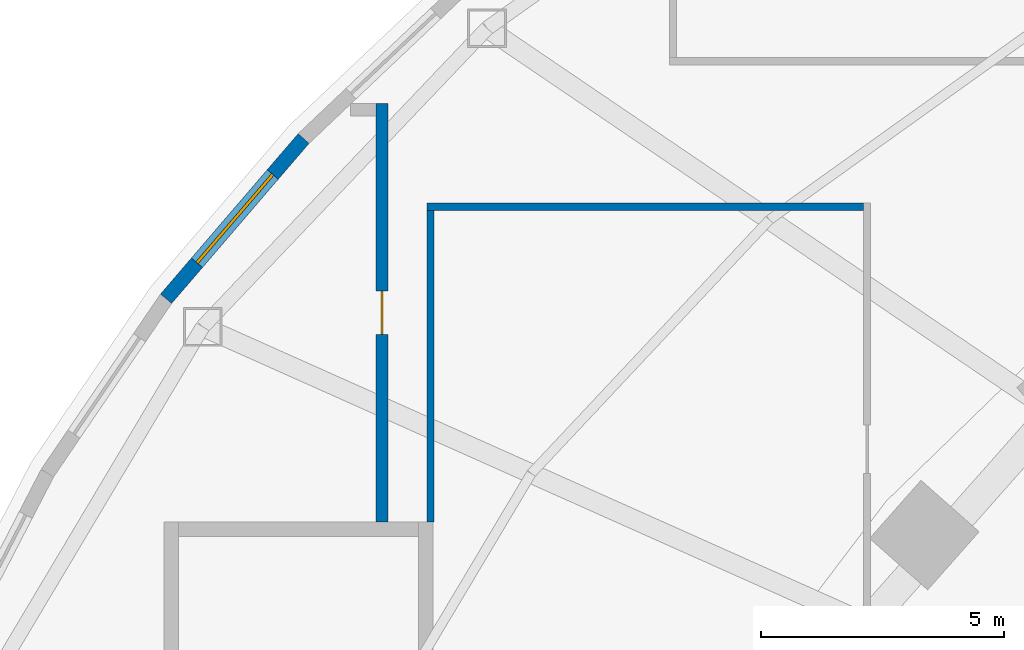
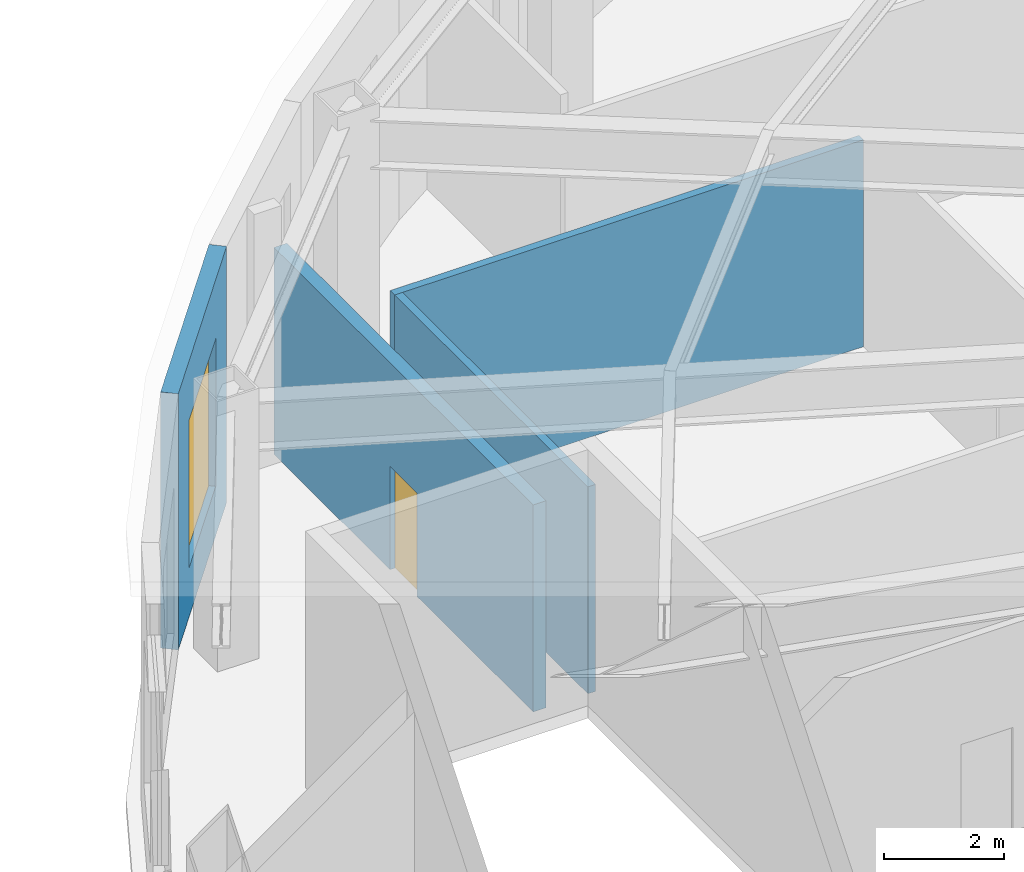
# One storey, part 9 of 63: 4 walls, 1 door, 1 window, 2 openings.
"""IFC4 building model written with IfcOpenShell, lengths in metres."""

import ifcopenshell
import ifcopenshell.guid

model = None  # the IFC model being written
_history = None  # IfcOwnerHistory: only IFC2X3 demands one
_inside = {}  # id of a spatial element -> (the spatial element, [elements in it])
_under = {}  # id of a project, library or spatial element -> (it, [spatial elements below it])
_declared = {}  # id of a project -> (the project, [libraries it declares])
_typed = {}  # id of a type object -> (the type object, [elements of that type])
_made_of = {}  # id of a material, layer set ... -> (it, [elements and type objects made of it])


def new_model(schema):
    """Start an empty IFC model of exactly this schema.

    Asked for "IFC4X3", IfcOpenShell would pick the latest addendum, in which some entities
    have other attributes; the version numbers below select the first issue.
    IFC2X3 requires an IfcOwnerHistory on every rooted entity: one is made here for all.
    """
    global model, _history
    if schema == "IFC4X3":
        model = ifcopenshell.file(schema_version=(4, 3, 0, 0))
    else:
        model = ifcopenshell.file(schema=schema)
    _inside.clear()
    _under.clear()
    _declared.clear()
    _typed.clear()
    _made_of.clear()
    _history = None
    if model.schema == "IFC2X3":
        org = make("IfcOrganization", Name="unknown")
        user = make(
            "IfcPersonAndOrganization",
            ThePerson=make("IfcPerson", FamilyName="unknown"),
            TheOrganization=org,
        )
        app = make(
            "IfcApplication",
            ApplicationDeveloper=org,
            Version="unknown",
            ApplicationFullName="unknown",
            ApplicationIdentifier="unknown",
        )
        _history = make(
            "IfcOwnerHistory",
            OwningUser=user,
            OwningApplication=app,
            ChangeAction="ADDED",
            CreationDate=0,
        )
    return model


def make(cls, **values):
    """One entity of the class cls with the attributes given. An attribute that is None is left unset."""
    return model.create_entity(
        cls, **{name: value for name, value in values.items() if value is not None}
    )


def rooted(cls, **values):
    """An entity with a GlobalId (a new one), such as an element, a storey or a relation."""
    return make(cls, GlobalId=ifcopenshell.guid.new(), OwnerHistory=_history, **values)


def si_unit(unit_type, name, prefix=None):
    """IfcSIUnit, for example si_unit("LENGTHUNIT", "METRE", prefix="MILLI")."""
    return make("IfcSIUnit", UnitType=unit_type, Prefix=prefix, Name=name)


def assignment(units):
    """IfcUnitAssignment: the units of a project."""
    return None if units is None else make("IfcUnitAssignment", Units=units)


def point(xyz):
    """IfcCartesianPoint."""
    return None if xyz is None else make("IfcCartesianPoint", Coordinates=xyz)


def direction(xyz):
    """IfcDirection."""
    return None if xyz is None else make("IfcDirection", DirectionRatios=xyz)


def frame(location, z_axis=None, x_axis=None):
    """IfcAxis2Placement3D, a coordinate frame: its origin and axes. An axis left out is left unset."""
    return make(
        "IfcAxis2Placement3D",
        Location=point(location),
        Axis=direction(z_axis),
        RefDirection=direction(x_axis),
    )


def frame_2d(location, x_axis=None):
    """IfcAxis2Placement2D, a coordinate frame in the plane: its origin and x axis."""
    return make(
        "IfcAxis2Placement2D", Location=point(location), RefDirection=direction(x_axis)
    )


def origin():
    """The frame at (0, 0, 0) with its axes left unset."""
    return frame((0.0, 0.0, 0.0))


def place(relative_to, where):
    """IfcLocalPlacement: puts the frame where relative to a parent placement (None: the world)."""
    return make(
        "IfcLocalPlacement", PlacementRelTo=relative_to, RelativePlacement=where
    )


def context(
    kind, dimensions, precision=None, world=None, true_north=None, identifier=None
):
    """IfcGeometricRepresentationContext, for example the 3D "Model" context."""
    return make(
        "IfcGeometricRepresentationContext",
        ContextIdentifier=identifier,
        ContextType=kind,
        CoordinateSpaceDimension=dimensions,
        Precision=precision,
        WorldCoordinateSystem=world,
        TrueNorth=true_north,
    )


def subcontext(parent, identifier, kind, view, scale=None):
    """IfcGeometricRepresentationSubContext, for example "Body" below "Model"."""
    return make(
        "IfcGeometricRepresentationSubContext",
        ContextIdentifier=identifier,
        ContextType=kind,
        ParentContext=parent,
        TargetScale=scale,
        TargetView=view,
    )


def project(units=None, contexts=None):
    """IfcProject with its units and contexts."""
    return rooted(
        "IfcProject",
        Name="project",
        RepresentationContexts=contexts,
        UnitsInContext=assignment(units),
    )


def spatial(cls, under=None, at=None, **own):
    """A site, building, storey or space (cls), placed at a placement, below another one or the project."""
    s = rooted(cls, ObjectPlacement=at, **own)
    if under is not None:
        _under.setdefault(under.id(), (under, []))[1].append(s)
    return s


def profile(cls, at=None, kind="AREA", **sizes):
    """A parametric profile (cls). Its sizes go by their IFC names, for example OverallWidth=200.0."""
    return make(cls, ProfileType=kind, Position=at, **sizes)


def rectangle(**sizes):
    """IfcRectangleProfileDef."""
    return profile("IfcRectangleProfileDef", **sizes)


def extrude(swept, where, along, depth):
    """IfcExtrudedAreaSolid: the profile swept, set in the frame where, extruded along a direction by depth."""
    return make(
        "IfcExtrudedAreaSolid",
        SweptArea=swept,
        Position=where,
        ExtrudedDirection=direction(along),
        Depth=depth,
    )


def shape(context_of_items, identifier, shape_type, items):
    """IfcShapeRepresentation: the items that make up one representation, for example the "Body"."""
    return make(
        "IfcShapeRepresentation",
        ContextOfItems=context_of_items,
        RepresentationIdentifier=identifier,
        RepresentationType=shape_type,
        Items=items,
    )


def material(Name=None, Category=None):
    """IfcMaterial."""
    return make("IfcMaterial", Name=Name, Category=Category)


def layer(
    of_material, thickness, ventilated=None, Name=None, Category=None, Priority=None
):
    """IfcMaterialLayer: one layer of a wall or slab, of a material (None: an air gap)."""
    return make(
        "IfcMaterialLayer",
        Material=of_material,
        LayerThickness=thickness,
        IsVentilated=ventilated,
        Name=Name,
        Category=Category,
        Priority=Priority,
    )


def layer_set(layers, Name=None):
    """IfcMaterialLayerSet."""
    return make("IfcMaterialLayerSet", MaterialLayers=layers, LayerSetName=Name)


def made_of(thing, what):
    """Note that an element or type object is made of a material, layer set ...; save() writes the relation."""
    if what is not None:
        _made_of.setdefault(what.id(), (what, []))[1].append(thing)
    return thing


def type_object(cls, material=None, **own):
    """A type object (cls), such as IfcWallType, which elements share."""
    return made_of(rooted(cls, **own), material)


def element(
    cls,
    number,
    at=None,
    inside=None,
    cuts=None,
    type_object=None,
    material=None,
    context=None,
    identifier="Body",
    shape_type=None,
    held_by="IfcProductDefinitionShape",
    body=None,
    shapes=None,
    **own,
):
    """One element of the class cls, such as IfcWall. Its Tag is "e" and its number.

    at: its placement. inside: the storey or other place that contains it. cuts: it is an
    opening in that element (IfcRelVoidsElement). A single representation is given by context,
    identifier, shape_type and body (its items); several are given by shapes. held_by: the class
    of the entity that holds the representations. save() writes the other relations.
    """
    e = rooted(cls, Tag="e%d" % number, ObjectPlacement=at, **own)
    if body is not None:
        shapes = [shape(context, identifier, shape_type, body)]
    if shapes is not None:
        e.Representation = make(held_by, Representations=shapes)
    if inside is not None:
        _inside.setdefault(inside.id(), (inside, []))[1].append(e)
    if cuts is not None:
        rooted(
            "IfcRelVoidsElement", RelatingBuildingElement=cuts, RelatedOpeningElement=e
        )
    if type_object is not None:
        _typed.setdefault(type_object.id(), (type_object, []))[1].append(e)
    return made_of(e, material)


def fill(opening, filler):
    """IfcRelFillsElement: the door or window that sits in an opening."""
    return rooted(
        "IfcRelFillsElement",
        RelatingOpeningElement=opening,
        RelatedBuildingElement=filler,
    )


def aggregate(whole, parts):
    """IfcRelAggregates: a whole, such as a stair, and the parts it consists of."""
    return rooted("IfcRelAggregates", RelatingObject=whole, RelatedObjects=parts)


def save(model, path):
    """Write the relations noted so far, then the file.

    IfcRelAggregates (storeys below a building ...), IfcRelContainedInSpatialStructure (elements
    in a storey), IfcRelDefinesByType, IfcRelAssociatesMaterial and IfcRelDeclares: one each for
    every whole, place, type object, material and project.
    """
    for whole, parts in _under.values():
        aggregate(whole, parts)
    for where, things in _inside.values():
        rooted(
            "IfcRelContainedInSpatialStructure",
            RelatedElements=things,
            RelatingStructure=where,
        )
    for kind, things in _typed.values():
        rooted("IfcRelDefinesByType", RelatedObjects=things, RelatingType=kind)
    for what, things in _made_of.values():
        rooted("IfcRelAssociatesMaterial", RelatedObjects=things, RelatingMaterial=what)
    for by, libraries in _declared.values():
        rooted("IfcRelDeclares", RelatingContext=by, RelatedDefinitions=libraries)
    model.write(path)


model = new_model("IFC4")

# Units and contexts
model_context = context("Model", 3, precision=1e-05, world=origin(), true_north=direction((0.0, 1.0)))
body_context = subcontext(model_context, "Body", "Model", "MODEL_VIEW")
ifc_project = project(units=[si_unit("LENGTHUNIT", "METRE"), si_unit("AREAUNIT", "SQUARE_METRE"), si_unit("VOLUMEUNIT", "CUBIC_METRE"), si_unit("PLANEANGLEUNIT", "RADIAN"), si_unit("MASSUNIT", "GRAM", prefix="KILO")], contexts=[model_context])

# Site, building, storey
site_placement = place(None, origin())
site = spatial("IfcSite", under=ifc_project, at=site_placement, CompositionType="ELEMENT")
building_placement = place(site_placement, origin())
building = spatial("IfcBuilding", under=site, at=building_placement, Name="Noorbagh Ring Tower", CompositionType="ELEMENT")
storey_placement = place(building_placement, frame((0.0, 0.0, 25.0)))
storey = spatial("IfcBuildingStorey", under=building, at=storey_placement, Name="L04", CompositionType="ELEMENT", Elevation=25.0)

# Wall, opening, window
ifc_material_1 = material(Name="Blockwork faced with red sandstone", Category="masonry")
ifc_layer_1 = layer(ifc_material_1, 0.300048828125)
ifc_layer_set_1 = layer_set([ifc_layer_1], Name="Blockwork faced with red sandstone")
wall_type_1 = type_object("IfcWallType", Name="GND-ENV-WALL", PredefinedType="SOLIDWALL", material=ifc_layer_set_1)
wall_1_placement = place(storey_placement, frame((-41.61669921875, 23.406005859375, 0.0), z_axis=(0.0, 0.0, 1.0), x_axis=(-0.651387059497, -0.758745608699, 0.0)))
wall_1 = element("IfcWall", 1, at=wall_1_placement, inside=storey, type_object=wall_type_1, Name="Podium wall", PredefinedType="SOLIDWALL", context=body_context, shape_type="SweptSolid", body=[
    extrude(rectangle(XDim=4.3525390625, YDim=0.300048828125, at=frame_2d((2.17626953125, 0.0))), origin(), (0.0, 0.0, 1.0), 5.199951171875),
])
opening_1_placement = place(wall_1_placement, frame((0.976318359375, 0.0, 1.0)))
opening_1 = element("IfcOpeningElement", 2, at=opening_1_placement, cuts=wall_1, Name="Opening GWN1", PredefinedType="OPENING", context=body_context, shape_type="SweptSolid", body=[
    extrude(rectangle(XDim=2.39990234375, YDim=3.0, at=frame_2d((1.199951171875, 1.5))), frame((0.0, 0.16015625, 0.0), z_axis=(0.0, -1.0, 0.0), x_axis=(1.0, 0.0, 0.0)), (0.0, 0.0, 1.0), 0.320068359375),
])
ifc_material_2 = material(Name="Aluminium and glass", Category="aluminium")
window_type = type_object("IfcWindowType", Name="GND-ENV-WINDOW", PartitioningType="SINGLE_PANEL", PredefinedType="WINDOW", material=ifc_material_2)
window_placement = place(opening_1_placement, origin())
window = element("IfcWindow", 3, at=window_placement, inside=storey, type_object=window_type, Name="L04 podium window", OverallHeight=3.0, OverallWidth=2.39990234375, PartitioningType="SINGLE_PANEL", PredefinedType="WINDOW", context=body_context, shape_type="SweptSolid", body=[
    extrude(rectangle(XDim=2.39990234375, YDim=3.0, at=frame_2d((1.199951171875, 1.5))), frame((0.0, 0.030029296875, 0.0), z_axis=(0.0, -1.0, 0.0), x_axis=(1.0, 0.0, 0.0)), (0.0, 0.0, 1.0), 0.06005859375),
])
fill(opening_1, window)

# Walls
ifc_material_3 = material(Name="Gypsum board on steel studs", Category="steel")
ifc_layer_2 = layer(ifc_material_3, 0.14990234375)
ifc_layer_set_2 = layer_set([ifc_layer_2], Name="Gypsum board on steel studs")
wall_type_2 = type_object("IfcWallType", Name="GND-PART-150", PredefinedType="PARTITIONING", material=ifc_layer_set_2)
wall_2_placement = place(storey_placement, frame((-39.0, 15.5, 0.0), z_axis=(0.0, 0.0, 1.0), x_axis=(0.0, 1.0, 0.0)))
element("IfcWall", 4, at=wall_2_placement, inside=storey, type_object=wall_type_2, Name="L04/wall/P021", PredefinedType="PARTITIONING", context=body_context, shape_type="SweptSolid", body=[
    extrude(rectangle(XDim=6.425048828125, YDim=0.14990234375, at=frame_2d((3.21240234375, 0.0))), origin(), (0.0, 0.0, 1.0), 4.199951171875),
])
wall_3_placement = place(storey_placement, frame((-39.074951171875, 22.0, 0.0), z_axis=(0.0, 0.0, 1.0), x_axis=(1.0, 0.0, 0.0)))
element("IfcWall", 5, at=wall_3_placement, inside=storey, type_object=wall_type_2, Name="L04/wall/P022", PredefinedType="PARTITIONING", context=body_context, shape_type="SweptSolid", body=[
    extrude(rectangle(XDim=9.0, YDim=0.14990234375, at=frame_2d((4.5, 0.0))), origin(), (0.0, 0.0, 1.0), 4.199951171875),
])

# Wall, opening, door
ifc_material_4 = material(Name="Reinforced blockwork", Category="masonry")
ifc_layer_3 = layer(ifc_material_4, 0.25)
ifc_layer_set_3 = layer_set([ifc_layer_3], Name="Reinforced blockwork")
wall_type_3 = type_object("IfcWallType", Name="GND-PART-250", PredefinedType="PARTITIONING", material=ifc_layer_set_3)
wall_4_placement = place(storey_placement, frame((-40.0, 24.125, 0.0), z_axis=(0.0, 0.0, 1.0), x_axis=(0.0, -1.0, 0.0)))
wall_4 = element("IfcWall", 6, at=wall_4_placement, inside=storey, type_object=wall_type_3, Name="L04/wall/P017", PredefinedType="PARTITIONING", context=body_context, shape_type="SweptSolid", body=[
    extrude(rectangle(XDim=8.625, YDim=0.25, at=frame_2d((4.3125, 0.0))), origin(), (0.0, 0.0, 1.0), 4.199951171875),
])
opening_2_placement = place(wall_4_placement, frame((3.862548828125, 0.0, 0.0)))
opening_2 = element("IfcOpeningElement", 7, at=opening_2_placement, cuts=wall_4, Name="Opening GD11", PredefinedType="OPENING", context=body_context, shape_type="SweptSolid", body=[
    extrude(rectangle(XDim=0.89990234375, YDim=2.10009765625, at=frame_2d((0.449951171875, 1.050048828125))), frame((0.0, 0.135009765625, 0.0), z_axis=(0.0, -1.0, 0.0), x_axis=(1.0, 0.0, 0.0)), (0.0, 0.0, 1.0), 0.27001953125),
])
ifc_material_5 = material(Name="Steel", Category="steel")
door_type = type_object("IfcDoorType", Name="GND-DOOR-HALL-FD120", OperationType="SINGLE_SWING_LEFT", PredefinedType="DOOR", material=ifc_material_5)
door_placement = place(opening_2_placement, origin())
door = element("IfcDoor", 8, at=door_placement, inside=storey, type_object=door_type, Name="Electrical room door", OperationType="SINGLE_SWING_RIGHT", OverallHeight=2.10009765625, OverallWidth=0.89990234375, PredefinedType="DOOR", context=body_context, shape_type="SweptSolid", body=[
    extrude(rectangle(XDim=0.89990234375, YDim=2.10009765625, at=frame_2d((0.449951171875, 1.050048828125))), frame((0.0, 0.02490234375, 0.0), z_axis=(0.0, -1.0, 0.0), x_axis=(1.0, 0.0, 0.0)), (0.0, 0.0, 1.0), 0.050048828125),
])
fill(opening_2, door)

save(model, "model.ifc")
